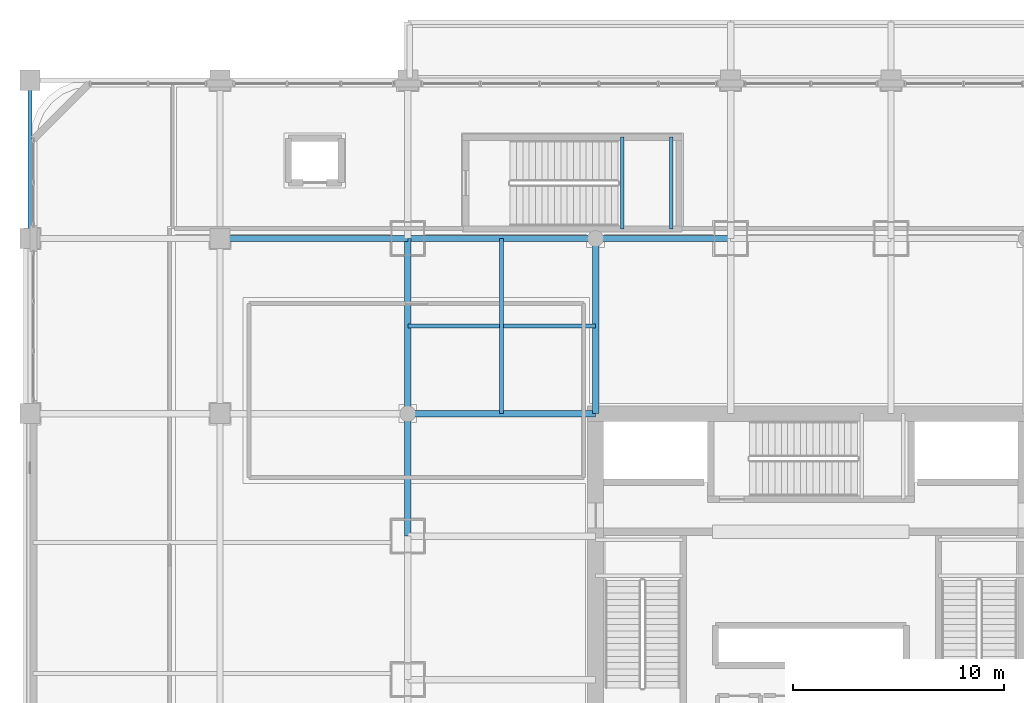
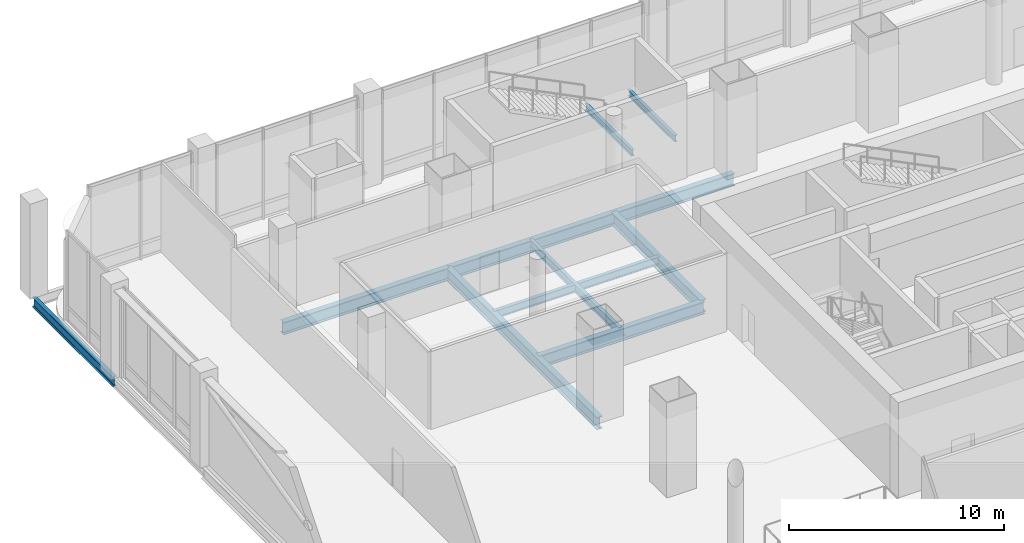
# One storey, part 14 of 43: 10 beams.
"""IFC4 building model written with IfcOpenShell, lengths in metres."""

from ifc_helpers import new_model, si_unit, direction, frame, origin, origin_2d, place, context, subcontext, project, spatial, i_section, extrude, material, material_profile, profile_set, type_object, element, save


model = new_model("IFC4")

# Units and contexts
model_context = context("Model", 3, precision=1e-05, world=origin(), true_north=direction((0.0, 1.0)))
body_context = subcontext(model_context, "Body", "Model", "MODEL_VIEW")
ifc_project = project(units=[si_unit("LENGTHUNIT", "METRE"), si_unit("AREAUNIT", "SQUARE_METRE"), si_unit("VOLUMEUNIT", "CUBIC_METRE"), si_unit("PLANEANGLEUNIT", "RADIAN"), si_unit("MASSUNIT", "GRAM", prefix="KILO")], contexts=[model_context])

# Site, building, storey
site_placement = place(None, origin())
site = spatial("IfcSite", under=ifc_project, at=site_placement, CompositionType="ELEMENT")
building_placement = place(site_placement, origin())
building = spatial("IfcBuilding", under=site, at=building_placement, Name="Punatoya Terracotta Tower", CompositionType="ELEMENT")
storey_placement = place(building_placement, frame((0.0, 0.0, 6.0)))
storey = spatial("IfcBuildingStorey", under=building, at=storey_placement, Name="L01", CompositionType="ELEMENT", Elevation=6.0)

# Beams
ifc_material = material(Name="Steel S355", Category="steel")
ifc_material_profile_1 = material_profile(ifc_material, i_section(OverallWidth=0.300048828125, OverallDepth=0.699951171875, WebThickness=0.01708984375, FlangeThickness=0.031982421875, FilletRadius=0.01806640625, at=origin_2d()))
ifc_profile_set_1 = profile_set([ifc_material_profile_1], Name="Steel S355")
beam_type_1 = type_object("IfcBeamType", Name="BM-PRI-700", PredefinedType="BEAM", material=ifc_profile_set_1)
beam_1_placement = place(storey_placement, frame((-19.10009765625, 17.5, -0.6298828125), z_axis=(1.0, 0.0, 0.0), x_axis=(0.0, 1.0, 0.0)))
element("IfcBeam", 1, at=beam_1_placement, inside=storey, type_object=beam_type_1, Name="BM-L01-RG-N1", PredefinedType="BEAM", context=body_context, shape_type="SweptSolid", body=[
    extrude(i_section(OverallWidth=0.300048828125, OverallDepth=0.699951171875, WebThickness=0.01708984375, FlangeThickness=0.031982421875, FilletRadius=0.01806640625, at=origin_2d()), origin(), (0.0, 0.0, 1.0), 15.300048828125),
])
beam_2_placement = place(storey_placement, frame((-19.10009765625, 3.39990234375, -0.6298828125), z_axis=(0.0, 1.0, 0.0), x_axis=(-1.0, 0.0, 0.0)))
element("IfcBeam", 2, at=beam_2_placement, inside=storey, type_object=beam_type_1, Name="BM-L01-RG-W3", PredefinedType="BEAM", context=body_context, shape_type="SweptSolid", body=[
    extrude(i_section(OverallWidth=0.300048828125, OverallDepth=0.699951171875, WebThickness=0.01708984375, FlangeThickness=0.031982421875, FilletRadius=0.01806640625, at=origin_2d()), origin(), (0.0, 0.0, 1.0), 14.10009765625),
])
beam_3_placement = place(storey_placement, frame((-19.10009765625, 9.199951171875, -0.6298828125), z_axis=(1.0, 0.0, 0.0), x_axis=(0.0, 1.0, 0.0)))
element("IfcBeam", 3, at=beam_3_placement, inside=storey, type_object=beam_type_1, Name="BM-L01-PR-WN", PredefinedType="BEAM", context=body_context, shape_type="SweptSolid", body=[
    extrude(i_section(OverallWidth=0.300048828125, OverallDepth=0.699951171875, WebThickness=0.01708984375, FlangeThickness=0.031982421875, FilletRadius=0.01806640625, at=origin_2d()), origin(), (0.0, 0.0, 1.0), 8.900146484375),
])
beam_4_placement = place(storey_placement, frame((-10.199951171875, 9.199951171875, -0.6298828125), z_axis=(0.0, 1.0, 0.0), x_axis=(-1.0, 0.0, 0.0)))
element("IfcBeam", 4, at=beam_4_placement, inside=storey, type_object=beam_type_1, Name="BM-L01-PR-N1", PredefinedType="BEAM", context=body_context, shape_type="SweptSolid", body=[
    extrude(i_section(OverallWidth=0.300048828125, OverallDepth=0.699951171875, WebThickness=0.01708984375, FlangeThickness=0.031982421875, FilletRadius=0.01806640625, at=origin_2d()), origin(), (0.0, 0.0, 1.0), 8.300048828125),
])
beam_5_placement = place(storey_placement, frame((-28.0, 17.5, -0.6298828125), z_axis=(1.0, 0.0, 0.0), x_axis=(0.0, 1.0, 0.0)))
element("IfcBeam", 5, at=beam_5_placement, inside=storey, type_object=beam_type_1, Name="BM-L01-GW2", PredefinedType="BEAM", context=body_context, shape_type="SweptSolid", body=[
    extrude(i_section(OverallWidth=0.300048828125, OverallDepth=0.699951171875, WebThickness=0.01708984375, FlangeThickness=0.031982421875, FilletRadius=0.01806640625, at=origin_2d()), origin(), (0.0, 0.0, 1.0), 8.89990234375),
])
ifc_material_profile_2 = material_profile(ifc_material, i_section(OverallWidth=0.169921875, OverallDepth=0.360107421875, WebThickness=0.008056640625, FlangeThickness=0.0126953125, FilletRadius=0.01806640625, at=origin_2d()))
ifc_profile_set_2 = profile_set([ifc_material_profile_2], Name="Steel S355")
beam_type_2 = type_object("IfcBeamType", Name="BM-SEC-360", PredefinedType="JOIST", material=ifc_profile_set_2)
for number, where, z_axis, x_axis, name in (
    (6, (-8.929931640625, 17.949951171875, 2.320068359375), (0.0, 1.0, 0.0), (-1.0, 0.0, 0.0), "BM-L01-ST-P1-LD1A"),
    (7, (-6.6201171875, 17.949951171875, 2.320068359375), (0.0, 1.0, 0.0), (-1.0, 0.0, 0.0), "BM-L01-ST-P1-LD1B"),
):
    element("IfcBeam", number, at=place(storey_placement, frame(where, z_axis=z_axis, x_axis=x_axis)), inside=storey, type_object=beam_type_2, Name=name, PredefinedType="JOIST", context=body_context, shape_type="SweptSolid", body=[
        extrude(i_section(OverallWidth=0.169921875, OverallDepth=0.360107421875, WebThickness=0.008056640625, FlangeThickness=0.0126953125, FilletRadius=0.01806640625, at=origin_2d()), origin(), (0.0, 0.0, 1.0), 4.35009765625),
    ])
ifc_material_profile_3 = material_profile(ifc_material, i_section(OverallWidth=0.18994140625, OverallDepth=0.449951171875, WebThickness=0.009521484375, FlangeThickness=0.0146484375, FilletRadius=0.01806640625, at=origin_2d()))
ifc_profile_set_3 = profile_set([ifc_material_profile_3], Name="Steel S355")
beam_type_3 = type_object("IfcBeamType", Name="BM-SEC-450", PredefinedType="JOIST", material=ifc_profile_set_3)
beam_6_placement = place(storey_placement, frame((-19.10009765625, 13.35009765625, -0.5048828125), z_axis=(1.0, 0.0, 0.0), x_axis=(0.0, 1.0, 0.0)))
element("IfcBeam", 8, at=beam_6_placement, inside=storey, type_object=beam_type_3, Name="BM-L01-SJN-1", PredefinedType="JOIST", context=body_context, shape_type="SweptSolid", body=[
    extrude(i_section(OverallWidth=0.18994140625, OverallDepth=0.449951171875, WebThickness=0.009521484375, FlangeThickness=0.0146484375, FilletRadius=0.01806640625, at=origin_2d()), origin(), (0.0, 0.0, 1.0), 8.900146484375),
])
beam_7_placement = place(storey_placement, frame((-14.64990234375, 9.199951171875, -0.5048828125), z_axis=(0.0, 1.0, 0.0), x_axis=(-1.0, 0.0, 0.0)))
element("IfcBeam", 9, at=beam_7_placement, inside=storey, type_object=beam_type_3, Name="BM-L01-SJW-2", PredefinedType="JOIST", context=body_context, shape_type="SweptSolid", body=[
    extrude(i_section(OverallWidth=0.18994140625, OverallDepth=0.449951171875, WebThickness=0.009521484375, FlangeThickness=0.0146484375, FilletRadius=0.01806640625, at=origin_2d()), origin(), (0.0, 0.0, 1.0), 8.300048828125),
])
ifc_material_profile_4 = material_profile(ifc_material, i_section(OverallWidth=0.2099609375, OverallDepth=0.550048828125, WebThickness=0.010986328125, FlangeThickness=0.01708984375, FilletRadius=0.01806640625, at=origin_2d()))
ifc_profile_set_4 = profile_set([ifc_material_profile_4], Name="Steel S355")
beam_type_4 = type_object("IfcBeamType", Name="BM-SPN-550", PredefinedType="SPANDREL", material=ifc_profile_set_4)
beam_8_placement = place(storey_placement, frame((-37.0, 17.5, -0.554931640625), z_axis=(0.0, 1.0, 0.0), x_axis=(-1.0, 0.0, 0.0)))
element("IfcBeam", 10, at=beam_8_placement, inside=storey, type_object=beam_type_4, Name="BM-L01-X37W-17", PredefinedType="SPANDREL", context=body_context, shape_type="SweptSolid", body=[
    extrude(i_section(OverallWidth=0.2099609375, OverallDepth=0.550048828125, WebThickness=0.010986328125, FlangeThickness=0.01708984375, FilletRadius=0.01806640625, at=origin_2d()), origin(), (0.0, 0.0, 1.0), 7.5),
])

save(model, "model.ifc")
